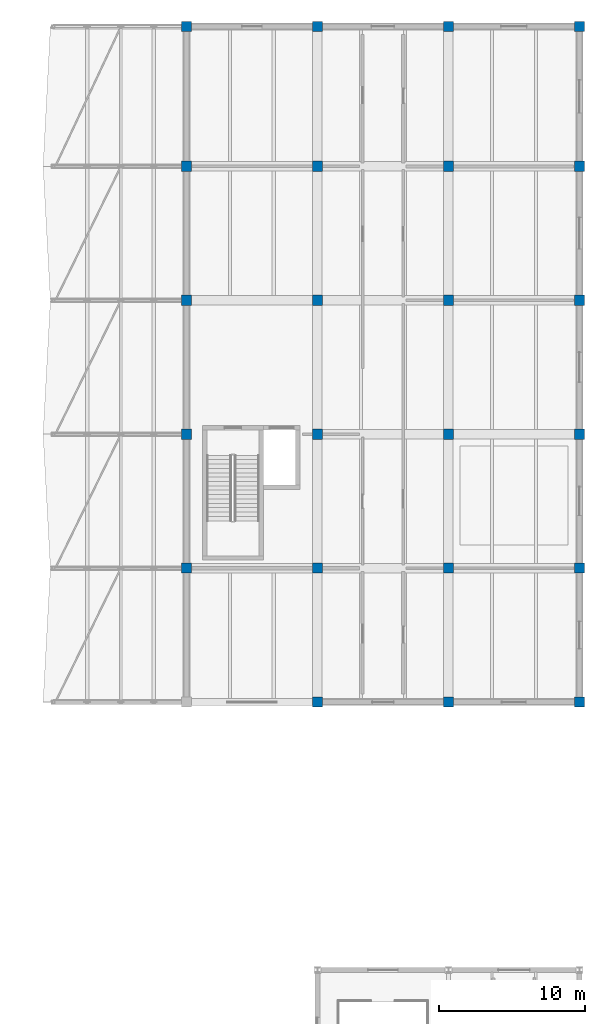
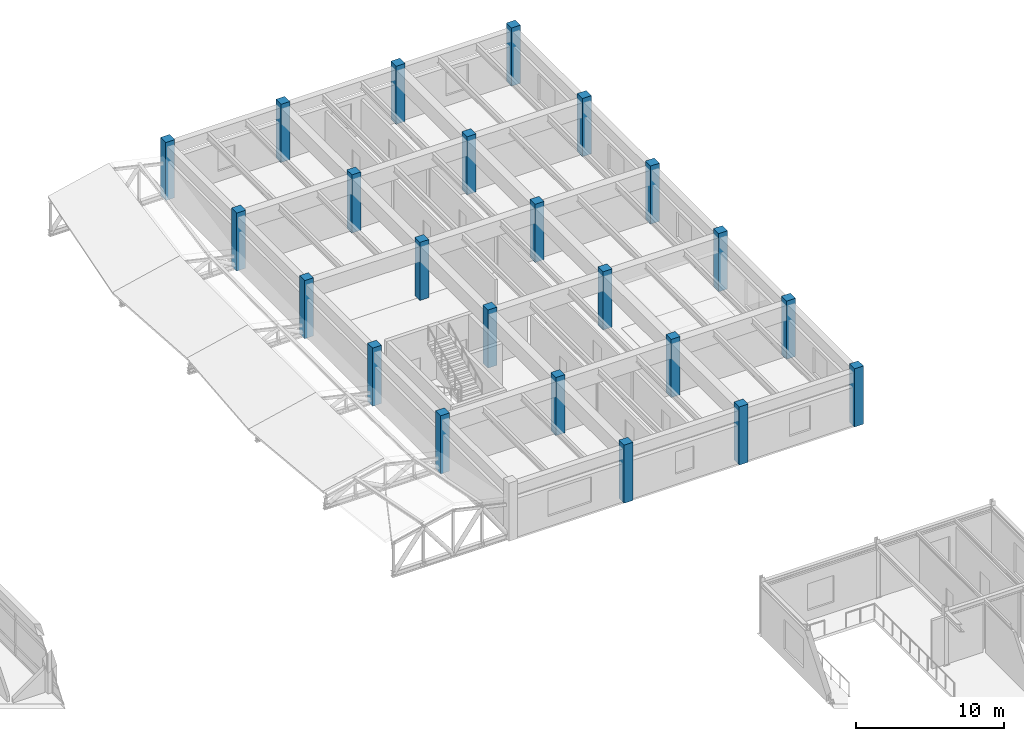
# One storey, part 12 of 90: 23 columns.
"""IFC4 building model written with IfcOpenShell, lengths in metres."""

from ifc_helpers import new_model, si_unit, direction, frame, origin, origin_2d, place, context, subcontext, project, spatial, rectangle, extrude, material, material_profile, profile_set, type_object, element, save


model = new_model("IFC4")

# Units and contexts
model_context = context("Model", 3, precision=1e-05, world=origin(), true_north=direction((0.0, 1.0)))
body_context = subcontext(model_context, "Body", "Model", "MODEL_VIEW")
ifc_project = project(units=[si_unit("LENGTHUNIT", "METRE"), si_unit("AREAUNIT", "SQUARE_METRE"), si_unit("VOLUMEUNIT", "CUBIC_METRE"), si_unit("PLANEANGLEUNIT", "RADIAN"), si_unit("MASSUNIT", "GRAM", prefix="KILO")], contexts=[model_context])

# Site, building, storey
site_placement = place(None, origin())
site = spatial("IfcSite", under=ifc_project, at=site_placement, CompositionType="ELEMENT")
building_placement = place(site_placement, origin())
building = spatial("IfcBuilding", under=site, at=building_placement, Name="Bozkorgan Art Gallery", CompositionType="ELEMENT")
storey_placement = place(building_placement, frame((0.0, 0.0, 5.39990234375)))
storey = spatial("IfcBuildingStorey", under=building, at=storey_placement, Name="L01", CompositionType="ELEMENT", Elevation=5.39990234375)

# Columns
ifc_material = material(Name="Concrete C40/50", Category="concrete")
ifc_material_profile_1 = material_profile(ifc_material, rectangle(XDim=0.699951171875, YDim=0.699951171875, at=origin_2d()), Name="RC 700x700")
ifc_profile_set_1 = profile_set([ifc_material_profile_1], Name="Concrete C40/50")
column_type_1 = type_object("IfcColumnType", Name="COLUMN-C-11", PredefinedType="COLUMN", material=ifc_profile_set_1)
for number, where, z_axis, x_axis, name in (
    (1, (146.0, 75.199951171875, 0.0), (0.0, 0.0, 1.0), (1.0, 0.0, 0.0), "V5 L01 column (146.0, 75.2)"),
    (2, (146.0, 84.39990234375, 0.0), (0.0, 0.0, 1.0), (1.0, 0.0, 0.0), "V5 L01 column (146.0, 84.4)"),
    (3, (146.0, 93.60009765625, 0.0), (0.0, 0.0, 1.0), (1.0, 0.0, 0.0), "V5 L01 column (146.0, 93.6)"),
    (4, (146.0, 102.800048828125, 0.0), (0.0, 0.0, 1.0), (1.0, 0.0, 0.0), "V5 L01 column (146.0, 102.8)"),
    (5, (155.0, 75.199951171875, 0.0), (0.0, 0.0, 1.0), (1.0, 0.0, 0.0), "V5 L01 column (155.0, 75.2)"),
    (6, (155.0, 84.39990234375, 0.0), (0.0, 0.0, 1.0), (1.0, 0.0, 0.0), "V5 L01 column (155.0, 84.4)"),
    (7, (155.0, 93.60009765625, 0.0), (0.0, 0.0, 1.0), (1.0, 0.0, 0.0), "V5 L01 column (155.0, 93.6)"),
    (8, (155.0, 102.800048828125, 0.0), (0.0, 0.0, 1.0), (1.0, 0.0, 0.0), "V5 L01 column (155.0, 102.8)"),
):
    element("IfcColumn", number, at=place(storey_placement, frame(where, z_axis=z_axis, x_axis=x_axis)), inside=storey, type_object=column_type_1, Name=name, PredefinedType="COLUMN", context=body_context, shape_type="SweptSolid", body=[
        extrude(rectangle(XDim=0.699951171875, YDim=0.699951171875, at=origin_2d()), origin(), (0.0, 0.0, 1.0), 4.800048828125),
    ])
ifc_material_profile_2 = material_profile(ifc_material, rectangle(XDim=0.699951171875, YDim=0.699951171875, at=origin_2d()), Name="RC 700x700")
ifc_profile_set_2 = profile_set([ifc_material_profile_2], Name="Concrete C40/50")
column_type_2 = type_object("IfcColumnType", Name="COLUMN-C-73", PredefinedType="COLUMN", material=ifc_profile_set_2)
for number, where, z_axis, x_axis, name in (
    (9, (137.0, 75.199951171875, 0.0), (0.0, 0.0, 1.0), (1.0, 0.0, 0.0), "V5 L01 column (137.0, 75.2)"),
    (10, (137.0, 84.39990234375, 0.0), (0.0, 0.0, 1.0), (1.0, 0.0, 0.0), "V5 L01 column (137.0, 84.4)"),
    (11, (137.0, 93.60009765625, 0.0), (0.0, 0.0, 1.0), (1.0, 0.0, 0.0), "V5 L01 column (137.0, 93.6)"),
    (12, (137.0, 102.800048828125, 0.0), (0.0, 0.0, 1.0), (1.0, 0.0, 0.0), "V5 L01 column (137.0, 102.8)"),
    (13, (137.0, 112.39990234375, 0.0), (0.0, 0.0, 1.0), (1.0, 0.0, 0.0), "V5 L01 column (137.0, 112.4)"),
    (14, (146.0, 66.0, 0.0), (0.0, 0.0, 1.0), (1.0, 0.0, 0.0), "V5 L01 column (146.0, 66.0)"),
    (15, (146.0, 112.39990234375, 0.0), (0.0, 0.0, 1.0), (1.0, 0.0, 0.0), "V5 L01 column (146.0, 112.4)"),
    (16, (155.0, 66.0, 0.0), (0.0, 0.0, 1.0), (1.0, 0.0, 0.0), "V5 L01 column (155.0, 66.0)"),
    (17, (155.0, 112.39990234375, 0.0), (0.0, 0.0, 1.0), (1.0, 0.0, 0.0), "V5 L01 column (155.0, 112.4)"),
    (18, (164.0, 66.0, 0.0), (0.0, 0.0, 1.0), (1.0, 0.0, 0.0), "V5 L01 column (164.0, 66.0)"),
    (19, (164.0, 75.199951171875, 0.0), (0.0, 0.0, 1.0), (1.0, 0.0, 0.0), "V5 L01 column (164.0, 75.2)"),
    (20, (164.0, 84.39990234375, 0.0), (0.0, 0.0, 1.0), (1.0, 0.0, 0.0), "V5 L01 column (164.0, 84.4)"),
    (21, (164.0, 93.60009765625, 0.0), (0.0, 0.0, 1.0), (1.0, 0.0, 0.0), "V5 L01 column (164.0, 93.6)"),
    (22, (164.0, 102.800048828125, 0.0), (0.0, 0.0, 1.0), (1.0, 0.0, 0.0), "V5 L01 column (164.0, 102.8)"),
    (23, (164.0, 112.39990234375, 0.0), (0.0, 0.0, 1.0), (1.0, 0.0, 0.0), "V5 L01 column (164.0, 112.4)"),
):
    element("IfcColumn", number, at=place(storey_placement, frame(where, z_axis=z_axis, x_axis=x_axis)), inside=storey, type_object=column_type_2, Name=name, PredefinedType="COLUMN", context=body_context, shape_type="SweptSolid", body=[
        extrude(rectangle(XDim=0.699951171875, YDim=0.699951171875, at=origin_2d()), origin(), (0.0, 0.0, 1.0), 4.800048828125),
    ])

save(model, "model.ifc")
